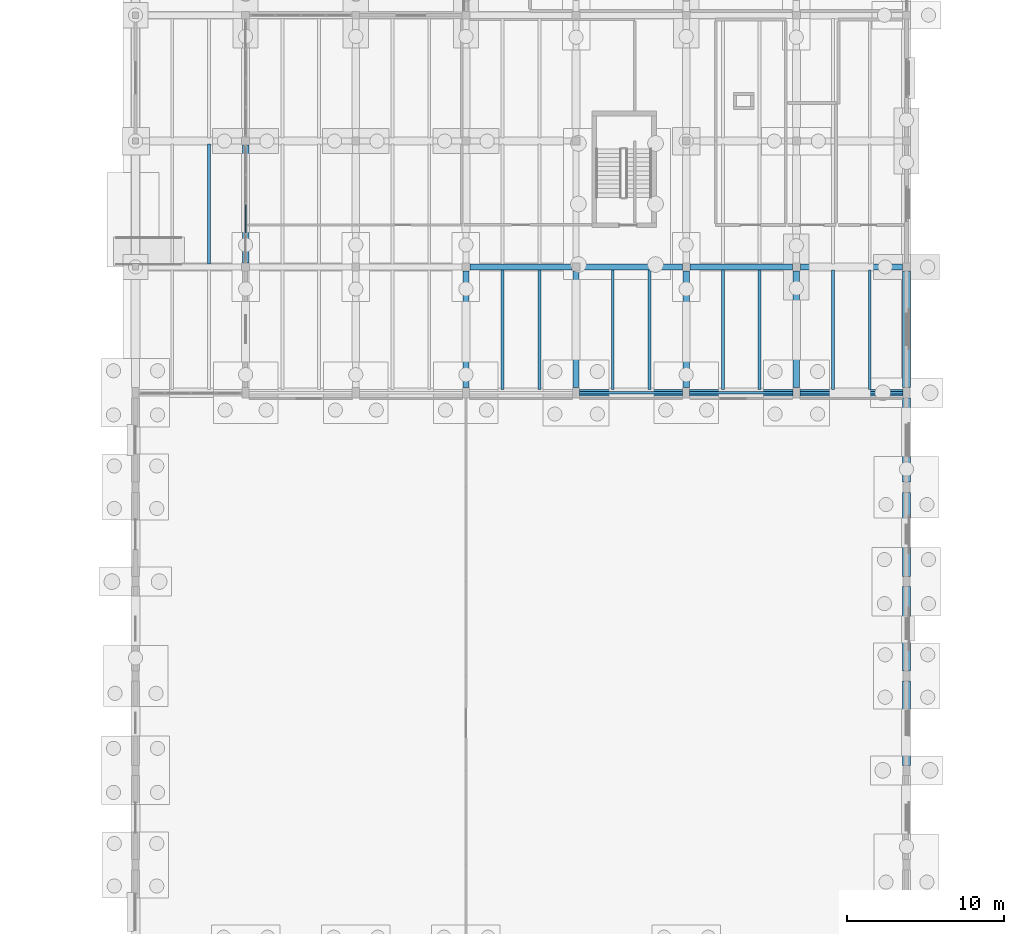
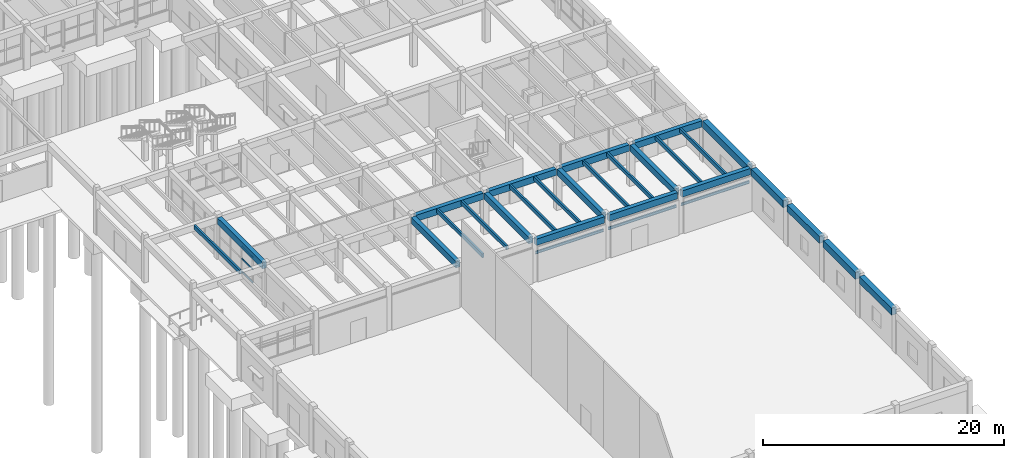
# One storey, part 40 of 99: 29 beams, 3 members, 1 element without a shape of its own.
"""IFC4 building model written with IfcOpenShell, lengths in metres."""

from ifc_helpers import new_model, si_unit, direction, frame, origin, origin_2d, place, context, subcontext, project, spatial, rectangle, i_section, extrude, material, layer, layer_set, material_profile, profile_set, type_object, element, aggregate, save


model = new_model("IFC4")

# Units and contexts
model_context = context("Model", 3, precision=1e-05, world=origin(), true_north=direction((0.0, 1.0)))
body_context = subcontext(model_context, "Body", "Model", "MODEL_VIEW")
ifc_project = project(units=[si_unit("LENGTHUNIT", "METRE"), si_unit("AREAUNIT", "SQUARE_METRE"), si_unit("VOLUMEUNIT", "CUBIC_METRE"), si_unit("PLANEANGLEUNIT", "RADIAN"), si_unit("MASSUNIT", "GRAM", prefix="KILO")], contexts=[model_context])

# Site, building, storey
site_placement = place(None, origin())
site = spatial("IfcSite", under=ifc_project, at=site_placement, CompositionType="ELEMENT")
building_placement = place(site_placement, origin())
building = spatial("IfcBuilding", under=site, at=building_placement, Name="Tonlespit Floodbar School", CompositionType="ELEMENT")
storey_placement = place(building_placement, origin())
storey = spatial("IfcBuildingStorey", under=building, at=storey_placement, Name="L00", CompositionType="ELEMENT", Elevation=0.0)

# Beams
ifc_material_1 = material(Name="Concrete C40/50", Category="concrete")
ifc_material_profile_1 = material_profile(ifc_material_1, rectangle(XDim=0.39990234375, YDim=0.64990234375, at=origin_2d()), Name="RC 400x650")
ifc_profile_set_1 = profile_set([ifc_material_profile_1], Name="Concrete C40/50")
beam_type_1 = type_object("IfcBeamType", Name="Beam_RC_400x650", PredefinedType="BEAM", material=ifc_profile_set_1)
for number, where, z_axis, x_axis, name in (
    (1, (155.22509765625, 56.0, 3.889892578125), (1.0, 0.0, 0.0), (0.0, 1.0, 0.0), "L00 girder 0053"),
    (2, (162.22509765625, 56.0, 3.889892578125), (1.0, 0.0, 0.0), (0.0, 1.0, 0.0), "L00 girder 0054"),
    (3, (169.22509765625, 56.0, 3.889892578125), (1.0, 0.0, 0.0), (0.0, 1.0, 0.0), "L00 girder 0055"),
):
    element("IfcBeam", number, at=place(storey_placement, frame(where, z_axis=z_axis, x_axis=x_axis)), inside=storey, type_object=beam_type_1, Name=name, PredefinedType="BEAM", context=body_context, shape_type="SweptSolid", body=[
        extrude(rectangle(XDim=0.39990234375, YDim=0.64990234375, at=origin_2d()), origin(), (0.0, 0.0, 1.0), 6.5498046875),
    ])
for number, where, z_axis, x_axis, name in (
    (4, (148.25, 64.0, 3.889892578125), (1.0, 0.0, 0.0), (0.0, 1.0, 0.0), "L00 girder 0064"),
    (5, (155.25, 64.0, 3.889892578125), (1.0, 0.0, 0.0), (0.0, 1.0, 0.0), "L00 girder 0065"),
    (6, (162.25, 64.0, 3.889892578125), (1.0, 0.0, 0.0), (0.0, 1.0, 0.0), "L00 girder 0066"),
    (7, (169.25, 64.0, 3.889892578125), (1.0, 0.0, 0.0), (0.0, 1.0, 0.0), "L00 girder 0067"),
):
    element("IfcBeam", number, at=place(storey_placement, frame(where, z_axis=z_axis, x_axis=x_axis)), inside=storey, type_object=beam_type_1, Name=name, PredefinedType="BEAM", context=body_context, shape_type="SweptSolid", body=[
        extrude(rectangle(XDim=0.39990234375, YDim=0.64990234375, at=origin_2d()), origin(), (0.0, 0.0, 1.0), 6.5),
    ])
beam_1_placement = place(storey_placement, frame((134.0, 64.25, 3.889892578125), z_axis=(0.0, 1.0, 0.0), x_axis=(-1.0, 0.0, 0.0)))
element("IfcBeam", 8, at=beam_1_placement, inside=storey, type_object=beam_type_1, Name="L00 girder 0273", PredefinedType="BEAM", context=body_context, shape_type="SweptSolid", body=[
    extrude(rectangle(XDim=0.39990234375, YDim=0.64990234375, at=origin_2d()), origin(), (0.0, 0.0, 1.0), 7.5),
])
for number, where, z_axis, x_axis, name in (
    (9, (148.0, 56.324951171875, 3.889892578125), (0.0, 1.0, 0.0), (-1.0, 0.0, 0.0), "L00 girder 0282"),
    (10, (155.0, 56.324951171875, 3.889892578125), (0.0, 1.0, 0.0), (-1.0, 0.0, 0.0), "L00 girder 0290"),
    (11, (162.0, 56.324951171875, 3.889892578125), (0.0, 1.0, 0.0), (-1.0, 0.0, 0.0), "L00 girder 0298"),
    (12, (169.0, 56.324951171875, 3.889892578125), (0.0, 1.0, 0.0), (-1.0, 0.0, 0.0), "L00 girder 0306"),
):
    element("IfcBeam", number, at=place(storey_placement, frame(where, z_axis=z_axis, x_axis=x_axis)), inside=storey, type_object=beam_type_1, Name=name, PredefinedType="BEAM", context=body_context, shape_type="SweptSolid", body=[
        extrude(rectangle(XDim=0.39990234375, YDim=0.64990234375, at=origin_2d()), origin(), (0.0, 0.0, 1.0), 7.425048828125),
    ])

# Curtain wall, members
ifc_material_2 = material(Name="Anodised Aluminium", Category="aluminium")
ifc_layer = layer(ifc_material_2, 0.159912109375)
ifc_layer_set = layer_set([ifc_layer], Name="Anodised Aluminium")
curtain_wall_type = type_object("IfcCurtainWallType", Name="CurtainWall_7400x2600", PredefinedType="NOTDEFINED", material=ifc_layer_set)
curtain_wall_placement = place(storey_placement, origin())
curtain_wall = element("IfcCurtainWall", 13, at=curtain_wall_placement, inside=storey, type_object=curtain_wall_type, Name="L00 unitised curtain wall 0332", PredefinedType="NOTDEFINED")
ifc_material_profile_2 = material_profile(ifc_material_2, rectangle(XDim=0.06494140625, YDim=0.1201171875, at=origin_2d()), Name="ALU T65x120")
ifc_profile_set_2 = profile_set([ifc_material_profile_2], Name="Anodised Aluminium")
member_type = type_object("IfcMemberType", Name="CW_Transom_65x120", PredefinedType="USERDEFINED", material=ifc_profile_set_2)
member_1_placement = place(storey_placement, frame((134.0, 66.177490234375, 0.982421875), z_axis=(0.0, 1.0, 0.0), x_axis=(-1.0, 0.0, 0.0)))
member_1 = element("IfcMember", 14, at=member_1_placement, type_object=member_type, Name="CW-52 transom 2.1", ObjectType="TRANSOM", PredefinedType="USERDEFINED", context=body_context, shape_type="SweptSolid", body=[
    extrude(rectangle(XDim=0.06494140625, YDim=0.1201171875, at=origin_2d()), origin(), (0.0, 0.0, 1.0), 1.7900390625),
])
member_2_placement = place(storey_placement, frame((134.0, 66.177490234375, 2.309814453125), z_axis=(0.0, 1.0, 0.0), x_axis=(-1.0, 0.0, 0.0)))
member_2 = element("IfcMember", 15, at=member_2_placement, type_object=member_type, Name="CW-52 transom 2.2", ObjectType="TRANSOM", PredefinedType="USERDEFINED", context=body_context, shape_type="SweptSolid", body=[
    extrude(rectangle(XDim=0.06494140625, YDim=0.1201171875, at=origin_2d()), origin(), (0.0, 0.0, 1.0), 1.7900390625),
])
member_3_placement = place(storey_placement, frame((134.0, 66.177490234375, 3.532470703125), z_axis=(0.0, 1.0, 0.0), x_axis=(-1.0, 0.0, 0.0)))
member_3 = element("IfcMember", 16, at=member_3_placement, type_object=member_type, Name="CW-52 transom 2.3", ObjectType="TRANSOM", PredefinedType="USERDEFINED", context=body_context, shape_type="SweptSolid", body=[
    extrude(rectangle(XDim=0.06494140625, YDim=0.1201171875, at=origin_2d()), origin(), (0.0, 0.0, 1.0), 1.7900390625),
])
aggregate(curtain_wall, [member_1, member_2, member_3])

# Beams
ifc_material_3 = material(Name="Glulam GL28h", Category="wood")
ifc_material_profile_3 = material_profile(ifc_material_3, rectangle(XDim=0.179931640625, YDim=0.39990234375, at=origin_2d()), Name="GL 180x400")
ifc_profile_set_3 = profile_set([ifc_material_profile_3], Name="Glulam GL28h")
beam_type_2 = type_object("IfcBeamType", Name="Joist_GL_180x400", PredefinedType="JOIST", material=ifc_profile_set_3)
for number, where, z_axis, x_axis, name in (
    (17, (150.333251953125, 56.199951171875, 4.014892578125), (0.0, 1.0, 0.0), (-1.0, 0.0, 0.0), "L00 secondary joist 0411"),
    (18, (152.666748046875, 56.199951171875, 4.014892578125), (0.0, 1.0, 0.0), (-1.0, 0.0, 0.0), "L00 secondary joist 0412"),
    (19, (157.333251953125, 56.199951171875, 4.014892578125), (0.0, 1.0, 0.0), (-1.0, 0.0, 0.0), "L00 secondary joist 0413"),
    (20, (159.666748046875, 56.199951171875, 4.014892578125), (0.0, 1.0, 0.0), (-1.0, 0.0, 0.0), "L00 secondary joist 0414"),
    (21, (164.333251953125, 56.199951171875, 4.014892578125), (0.0, 1.0, 0.0), (-1.0, 0.0, 0.0), "L00 secondary joist 0415"),
    (22, (166.666748046875, 56.199951171875, 4.014892578125), (0.0, 1.0, 0.0), (-1.0, 0.0, 0.0), "L00 secondary joist 0416"),
    (23, (171.333251953125, 56.199951171875, 4.014892578125), (0.0, 1.0, 0.0), (-1.0, 0.0, 0.0), "L00 secondary joist 0417"),
    (24, (173.666748046875, 56.199951171875, 4.014892578125), (0.0, 1.0, 0.0), (-1.0, 0.0, 0.0), "L00 secondary joist 0418"),
    (25, (131.666748046875, 64.199951171875, 4.0400390625), (0.0, 1.0, 0.0), (-1.0, 0.0, 0.0), "L00 secondary joist 0425"),
):
    element("IfcBeam", number, at=place(storey_placement, frame(where, z_axis=z_axis, x_axis=x_axis)), inside=storey, type_object=beam_type_2, Name=name, PredefinedType="JOIST", context=body_context, shape_type="SweptSolid", body=[
        extrude(rectangle(XDim=0.179931640625, YDim=0.39990234375, at=origin_2d()), origin(), (0.0, 0.0, 1.0), 7.60009765625),
    ])
ifc_material_4 = material(Name="Steel S355", Category="steel")
ifc_material_profile_4 = material_profile(ifc_material_4, i_section(OverallWidth=0.135009765625, OverallDepth=0.27001953125, WebThickness=0.006591796875, FlangeThickness=0.01025390625, at=origin_2d()), Name="IPE 270")
ifc_profile_set_4 = profile_set([ifc_material_profile_4], Name="Steel S355")
beam_type_3 = type_object("IfcBeamType", Name="Lintel_STL_IPE270", PredefinedType="LINTEL", material=ifc_profile_set_4)
for number, where, z_axis, x_axis, name in (
    (26, (155.22509765625, 56.0, 2.735107421875), (1.0, 0.0, 0.0), (0.0, 1.0, 0.0), "Hall entrance opening lintel 5"),
    (27, (162.22509765625, 56.0, 2.735107421875), (1.0, 0.0, 0.0), (0.0, 1.0, 0.0), "Hall entrance opening lintel 6"),
    (28, (169.22509765625, 56.0, 2.735107421875), (1.0, 0.0, 0.0), (0.0, 1.0, 0.0), "Hall entrance opening lintel 7"),
):
    element("IfcBeam", number, at=place(storey_placement, frame(where, z_axis=z_axis, x_axis=x_axis)), inside=storey, type_object=beam_type_3, Name=name, PredefinedType="LINTEL", context=body_context, shape_type="SweptSolid", body=[
        extrude(i_section(OverallWidth=0.135009765625, OverallDepth=0.27001953125, WebThickness=0.006591796875, FlangeThickness=0.01025390625, at=origin_2d()), origin(), (0.0, 0.0, 1.0), 6.5498046875),
    ])
ifc_material_profile_5 = material_profile(ifc_material_1, rectangle(XDim=0.5, YDim=0.699951171875, at=origin_2d()), Name="RC 500x700")
ifc_profile_set_5 = profile_set([ifc_material_profile_5], Name="Concrete C40/50")
beam_type_4 = type_object("IfcBeamType", Name="Spandrel_RC_500x700", PredefinedType="SPANDREL", material=ifc_profile_set_5)
for number, where, z_axis, x_axis, name in (
    (29, (176.0, 32.324951171875, 3.889892578125), (0.0, 1.0, 0.0), (-1.0, 0.0, 0.0), "L00 girder 0316"),
    (30, (176.0, 38.324951171875, 3.889892578125), (0.0, 1.0, 0.0), (-1.0, 0.0, 0.0), "L00 girder 0317"),
    (31, (176.0, 44.324951171875, 3.889892578125), (0.0, 1.0, 0.0), (-1.0, 0.0, 0.0), "L00 girder 0318"),
    (32, (176.0, 50.324951171875, 3.889892578125), (0.0, 1.0, 0.0), (-1.0, 0.0, 0.0), "L00 girder 0319"),
):
    element("IfcBeam", number, at=place(storey_placement, frame(where, z_axis=z_axis, x_axis=x_axis)), inside=storey, type_object=beam_type_4, Name=name, PredefinedType="SPANDREL", context=body_context, shape_type="SweptSolid", body=[
        extrude(rectangle(XDim=0.5, YDim=0.699951171875, at=origin_2d()), origin(), (0.0, 0.0, 1.0), 5.35009765625),
    ])
beam_2_placement = place(storey_placement, frame((176.0, 56.324951171875, 3.864990234375), z_axis=(0.0, 1.0, 0.0), x_axis=(-1.0, 0.0, 0.0)))
element("IfcBeam", 33, at=beam_2_placement, inside=storey, type_object=beam_type_4, Name="L00 girder 0320", PredefinedType="SPANDREL", context=body_context, shape_type="SweptSolid", body=[
    extrude(rectangle(XDim=0.5, YDim=0.699951171875, at=origin_2d()), origin(), (0.0, 0.0, 1.0), 7.425048828125),
])

save(model, "model.ifc")
